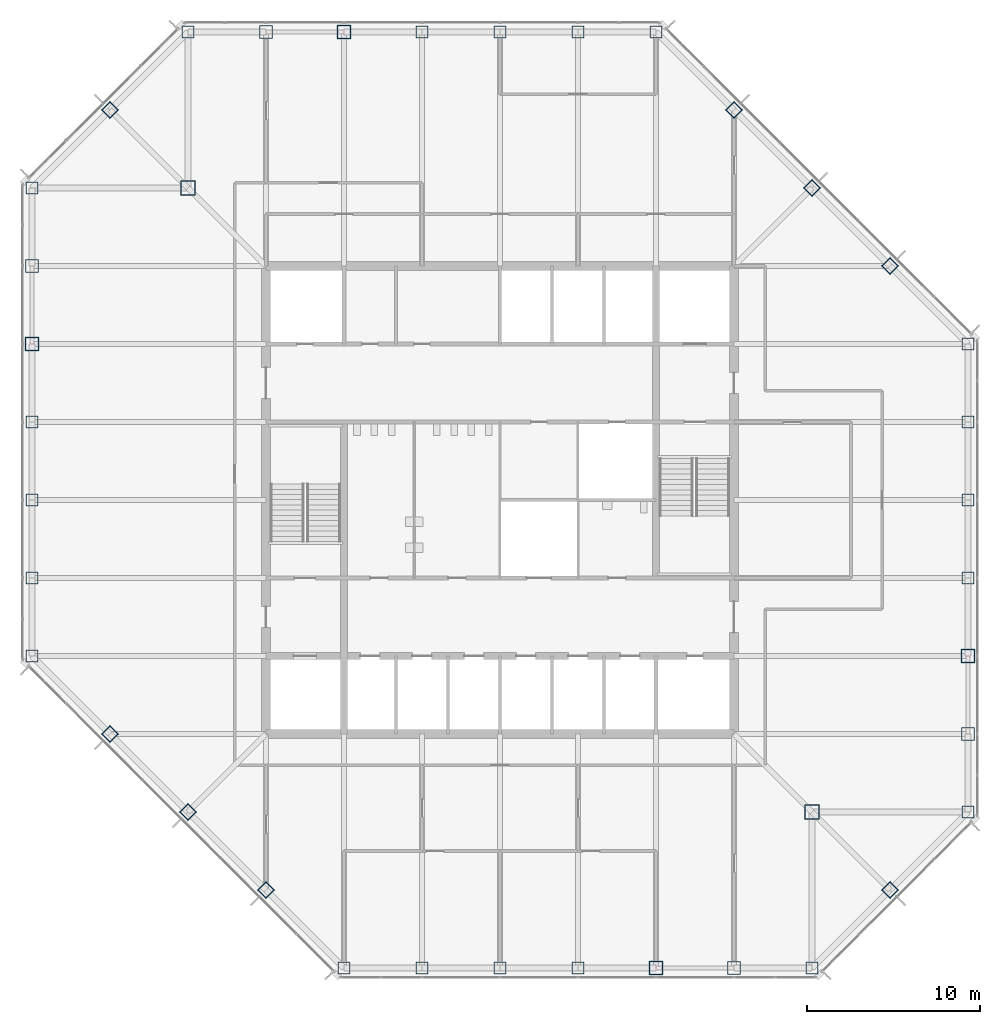
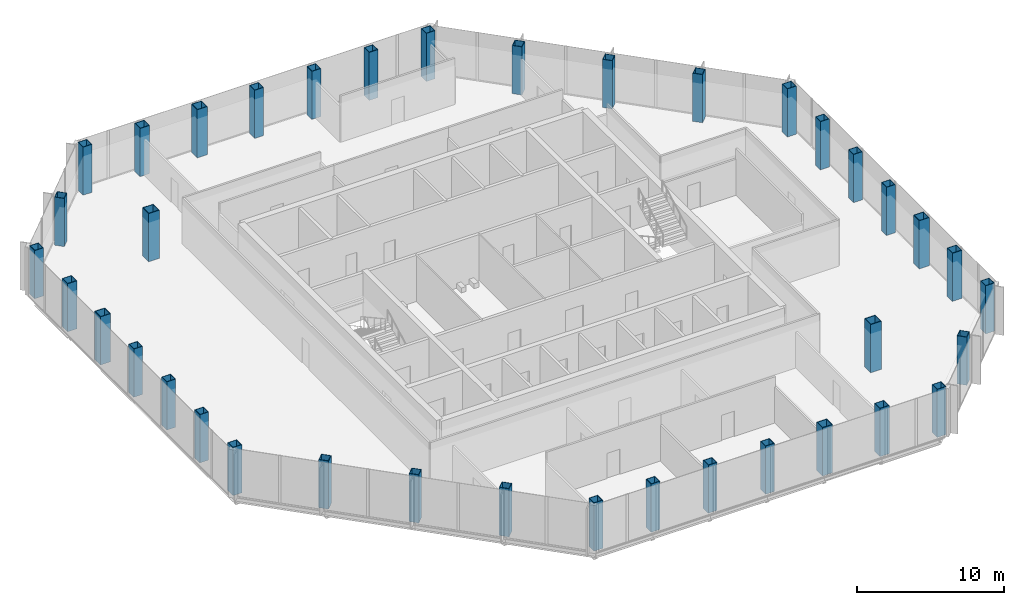
# One storey, part 1 of 12: 38 columns.
"""IFC4 building model written with IfcOpenShell, lengths in metres."""

from ifc_helpers import new_model, si_unit, direction, frame, origin, origin_2d, place, context, subcontext, project, spatial, hollow_rectangle, extrude, material, material_profile, profile_set, type_object, element, save


model = new_model("IFC4")

# Units and contexts
model_context = context("Model", 3, precision=1e-05, world=origin(), true_north=direction((0.0, 1.0)))
body_context = subcontext(model_context, "Body", "Model", "MODEL_VIEW")
ifc_project = project(units=[si_unit("LENGTHUNIT", "METRE"), si_unit("AREAUNIT", "SQUARE_METRE"), si_unit("VOLUMEUNIT", "CUBIC_METRE"), si_unit("PLANEANGLEUNIT", "RADIAN"), si_unit("MASSUNIT", "GRAM", prefix="KILO")], contexts=[model_context])

# Site, building, storey
site_placement = place(None, origin())
site = spatial("IfcSite", under=ifc_project, at=site_placement, CompositionType="ELEMENT")
building_placement = place(site_placement, origin())
building = spatial("IfcBuilding", under=site, at=building_placement, Name="Corais Broadcast Tower", CompositionType="ELEMENT")
storey_placement = place(building_placement, frame((0.0, 0.0, 183.60009765625)))
storey = spatial("IfcBuildingStorey", under=building, at=storey_placement, Name="L42", CompositionType="ELEMENT", Elevation=183.60009765625)

# Columns
ifc_material_1 = material(Name="Steel ASTM A572 Grade 50", Category="steel")
ifc_material_profile_1 = material_profile(ifc_material_1, hollow_rectangle(XDim=0.699951171875, YDim=0.699951171875, WallThickness=0.035888671875, at=origin_2d()), Name="BOX 700x700x36")
ifc_profile_set_1 = profile_set([ifc_material_profile_1], Name="Steel ASTM A572 Grade 50")
column_type_1 = type_object("IfcColumnType", Name="Column BOX 700x700x36", PredefinedType="COLUMN", material=ifc_profile_set_1)
for number, where, z_axis, x_axis, name in (
    (1, (18.0, 0.0, 0.0), (0.0, 0.0, 1.0), (1.0, 0.0, 0.0), "C5 A/7"),
    (2, (22.5, 0.0, 0.0), (0.0, 0.0, 1.0), (1.0, 0.0, 0.0), "C5 A/8"),
    (3, (27.0, 0.0, 0.0), (0.0, 0.0, 1.0), (1.0, 0.0, 0.0), "C5 A/9"),
    (4, (31.5, 0.0, 0.0), (0.0, 0.0, 1.0), (1.0, 0.0, 0.0), "C5 A/10"),
    (5, (45.0, 0.0, 0.0), (0.0, 0.0, 1.0), (1.0, 0.0, 0.0), "C5 A/13"),
    (6, (54.0, 9.0, 0.0), (0.0, 0.0, 1.0), (1.0, 0.0, 0.0), "C5 C/15"),
    (7, (54.0, 22.5, 0.0), (0.0, 0.0, 1.0), (1.0, 0.0, 0.0), "C5 F/15"),
    (8, (54.0, 27.0, 0.0), (0.0, 0.0, 1.0), (1.0, 0.0, 0.0), "C5 G/15"),
    (9, (54.0, 31.5, 0.0), (0.0, 0.0, 1.0), (1.0, 0.0, 0.0), "C5 H/15"),
    (10, (54.0, 36.0, 0.0), (0.0, 0.0, 1.0), (1.0, 0.0, 0.0), "C5 J/15"),
    (11, (36.0, 54.0, 0.0), (0.0, 0.0, 1.0), (1.0, 0.0, 0.0), "C5 N/11"),
    (12, (31.5, 54.0, 0.0), (0.0, 0.0, 1.0), (1.0, 0.0, 0.0), "C5 N/10"),
    (13, (27.0, 54.0, 0.0), (0.0, 0.0, 1.0), (1.0, 0.0, 0.0), "C5 N/9"),
    (14, (22.5, 54.0, 0.0), (0.0, 0.0, 1.0), (1.0, 0.0, 0.0), "C5 N/8"),
    (15, (9.0, 54.0, 0.0), (0.0, 0.0, 1.0), (1.0, 0.0, 0.0), "C5 N/5"),
    (16, (0.0, 45.0, 0.0), (0.0, 0.0, 1.0), (1.0, 0.0, 0.0), "C5 L/3"),
    (17, (0.0, 31.5, 0.0), (0.0, 0.0, 1.0), (1.0, 0.0, 0.0), "C5 H/3"),
    (18, (0.0, 27.0, 0.0), (0.0, 0.0, 1.0), (1.0, 0.0, 0.0), "C5 G/3"),
    (19, (0.0, 22.5, 0.0), (0.0, 0.0, 1.0), (1.0, 0.0, 0.0), "C5 F/3"),
    (20, (0.0, 18.0, 0.0), (0.0, 0.0, 1.0), (1.0, 0.0, 0.0), "C5 E/3"),
    (21, (13.5, 4.5, 0.0), (0.0, 0.0, 1.0), (0.707106781187, 0.707106781187, 0.0), "C5 B/6"),
    (22, (9.0, 9.0, 0.0), (0.0, 0.0, 1.0), (0.707106781187, 0.707106781187, 0.0), "C5 C/5"),
    (23, (4.5, 13.5, 0.0), (0.0, 0.0, 1.0), (0.707106781187, 0.707106781187, 0.0), "C5 D/4"),
    (24, (49.5, 4.5, 0.0), (0.0, 0.0, 1.0), (0.707106781187, 0.707106781187, 0.0), "C5 B/14"),
    (25, (49.5, 40.5, 0.0), (0.0, 0.0, 1.0), (0.707106781187, 0.707106781187, 0.0), "C5 K/14"),
    (26, (45.0, 45.0, 0.0), (0.0, 0.0, 1.0), (0.707106781187, 0.707106781187, 0.0), "C5 L/13"),
    (27, (40.5, 49.5, 0.0), (0.0, 0.0, 1.0), (0.707106781187, 0.707106781187, 0.0), "C5 M/12"),
    (28, (4.5, 49.5, 0.0), (0.0, 0.0, 1.0), (0.707106781187, 0.707106781187, 0.0), "C5 M/4"),
):
    element("IfcColumn", number, at=place(storey_placement, frame(where, z_axis=z_axis, x_axis=x_axis)), inside=storey, type_object=column_type_1, Name=name, PredefinedType="COLUMN", context=body_context, shape_type="SweptSolid", body=[
        extrude(hollow_rectangle(XDim=0.699951171875, YDim=0.699951171875, WallThickness=0.035888671875, at=origin_2d()), origin(), (0.0, 0.0, 1.0), 4.0),
    ])
ifc_material_2 = material(Name="Steel ASTM A572 Grade 50", Category="steel")
ifc_material_profile_2 = material_profile(ifc_material_2, hollow_rectangle(XDim=0.75, YDim=0.75, WallThickness=0.0400390625, at=origin_2d()), Name="BOX 750x750x40")
ifc_profile_set_2 = profile_set([ifc_material_profile_2], Name="Steel ASTM A572 Grade 50")
column_type_2 = type_object("IfcColumnType", Name="Column BOX 750x750x40", PredefinedType="COLUMN", material=ifc_profile_set_2)
for number, where, z_axis, x_axis, name in (
    (29, (40.5, 0.0, 0.0), (0.0, 0.0, 1.0), (1.0, 0.0, 0.0), "C4 A/12"),
    (30, (54.0, 13.5, 0.0), (0.0, 0.0, 1.0), (1.0, 0.0, 0.0), "C4 D/15"),
    (31, (13.5, 54.0, 0.0), (0.0, 0.0, 1.0), (1.0, 0.0, 0.0), "C4 N/6"),
    (32, (0.0, 40.5, 0.0), (0.0, 0.0, 1.0), (1.0, 0.0, 0.0), "C4 K/3"),
):
    element("IfcColumn", number, at=place(storey_placement, frame(where, z_axis=z_axis, x_axis=x_axis)), inside=storey, type_object=column_type_2, Name=name, PredefinedType="COLUMN", context=body_context, shape_type="SweptSolid", body=[
        extrude(hollow_rectangle(XDim=0.75, YDim=0.75, WallThickness=0.0400390625, at=origin_2d()), origin(), (0.0, 0.0, 1.0), 4.0),
    ])
ifc_material_3 = material(Name="Steel ASTM A572 Grade 50", Category="steel")
ifc_material_profile_3 = material_profile(ifc_material_3, hollow_rectangle(XDim=0.800048828125, YDim=0.800048828125, WallThickness=0.044921875, at=origin_2d()), Name="BOX 800x800x45")
ifc_profile_set_3 = profile_set([ifc_material_profile_3], Name="Steel ASTM A572 Grade 50")
column_type_3 = type_object("IfcColumnType", Name="Column BOX 800x800x45", PredefinedType="COLUMN", material=ifc_profile_set_3)
for number, where, z_axis, x_axis, name in (
    (33, (36.0, 0.0, 0.0), (0.0, 0.0, 1.0), (1.0, 0.0, 0.0), "C3 A/11"),
    (34, (54.0, 18.0, 0.0), (0.0, 0.0, 1.0), (1.0, 0.0, 0.0), "C3 E/15"),
    (35, (18.0, 54.0, 0.0), (0.0, 0.0, 1.0), (1.0, 0.0, 0.0), "C3 N/7"),
    (36, (0.0, 36.0, 0.0), (0.0, 0.0, 1.0), (1.0, 0.0, 0.0), "C3 J/3"),
):
    element("IfcColumn", number, at=place(storey_placement, frame(where, z_axis=z_axis, x_axis=x_axis)), inside=storey, type_object=column_type_3, Name=name, PredefinedType="COLUMN", context=body_context, shape_type="SweptSolid", body=[
        extrude(hollow_rectangle(XDim=0.800048828125, YDim=0.800048828125, WallThickness=0.044921875, at=origin_2d()), origin(), (0.0, 0.0, 1.0), 4.0),
    ])
ifc_material_4 = material(Name="Steel ASTM A572 Grade 50", Category="steel")
ifc_material_profile_4 = material_profile(ifc_material_4, hollow_rectangle(XDim=0.85009765625, YDim=0.85009765625, WallThickness=0.050048828125, at=origin_2d()), Name="BOX 850x850x50")
ifc_profile_set_4 = profile_set([ifc_material_profile_4], Name="Steel ASTM A572 Grade 50")
column_type_4 = type_object("IfcColumnType", Name="Column BOX 850x850x50", PredefinedType="COLUMN", material=ifc_profile_set_4)
for number, where, z_axis, x_axis, name in (
    (37, (45.0, 9.0, 0.0), (0.0, 0.0, 1.0), (1.0, 0.0, 0.0), "C1 C/13"),
    (38, (9.0, 45.0, 0.0), (0.0, 0.0, 1.0), (1.0, 0.0, 0.0), "C1 L/5"),
):
    element("IfcColumn", number, at=place(storey_placement, frame(where, z_axis=z_axis, x_axis=x_axis)), inside=storey, type_object=column_type_4, Name=name, PredefinedType="COLUMN", context=body_context, shape_type="SweptSolid", body=[
        extrude(hollow_rectangle(XDim=0.85009765625, YDim=0.85009765625, WallThickness=0.050048828125, at=origin_2d()), origin(), (0.0, 0.0, 1.0), 4.0),
    ])

save(model, "model.ifc")
